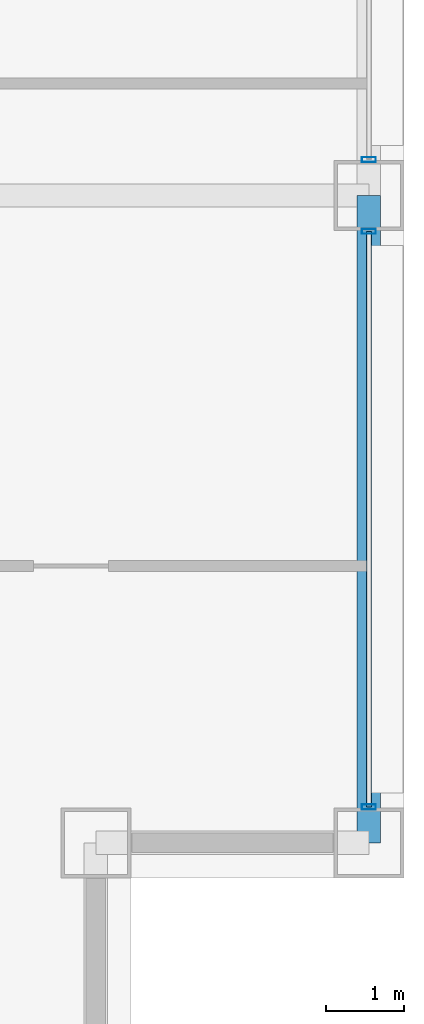
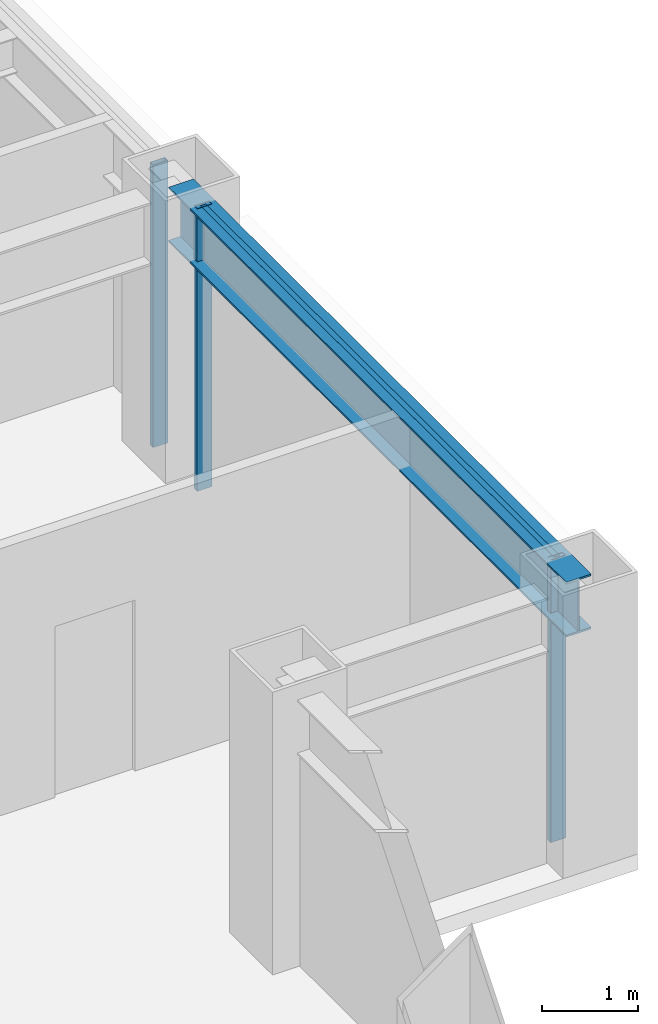
# One storey, part 12 of 29: 4 members, 1 beam, 2 elements without a shape of their own.
"""IFC4 building model written with IfcOpenShell, lengths in metres."""

from ifc_helpers import new_model, si_unit, direction, frame, origin, origin_2d, place, context, subcontext, project, spatial, hollow_rectangle, i_section, extrude, material, layer, layer_set, material_profile, profile_set, type_object, element, aggregate, save


model = new_model("IFC4")

# Units and contexts
model_context = context("Model", 3, precision=1e-05, world=origin(), true_north=direction((0.0, 1.0)))
body_context = subcontext(model_context, "Body", "Model", "MODEL_VIEW")
ifc_project = project(units=[si_unit("LENGTHUNIT", "METRE"), si_unit("AREAUNIT", "SQUARE_METRE"), si_unit("VOLUMEUNIT", "CUBIC_METRE"), si_unit("PLANEANGLEUNIT", "RADIAN"), si_unit("MASSUNIT", "GRAM", prefix="KILO")], contexts=[model_context])

# Site, building, storey
site_placement = place(None, origin())
site = spatial("IfcSite", under=ifc_project, at=site_placement, CompositionType="ELEMENT")
building_placement = place(site_placement, origin())
building = spatial("IfcBuilding", under=site, at=building_placement, Name="Brelmoor Portico Tower", CompositionType="ELEMENT")
storey_placement = place(building_placement, frame((0.0, 0.0, 60.0)))
storey = spatial("IfcBuildingStorey", under=building, at=storey_placement, Name="L15", CompositionType="ELEMENT", Elevation=60.0)

# Beam
ifc_material_1 = material(Name="Steel Q355B", Category="steel")
ifc_material_profile_1 = material_profile(ifc_material_1, i_section(OverallWidth=0.300048828125, OverallDepth=0.699951171875, WebThickness=0.012939453125, FlangeThickness=0.02392578125, at=origin_2d()), Name="HN 700x300x13x24")
ifc_profile_set_1 = profile_set([ifc_material_profile_1], Name="Steel Q355B")
beam_type = type_object("IfcBeamType", Name="BM-SP-700", PredefinedType="SPANDREL", material=ifc_profile_set_1)
beam_placement = place(storey_placement, frame((24.550048828125, -18.050048828125, 3.050048828125), z_axis=(0.0, 1.0, 0.0), x_axis=(-1.0, 0.0, 0.0)))
element("IfcBeam", 1, at=beam_placement, inside=storey, type_object=beam_type, Name="L15 Perimeter Spandrel Beam SP-22", PredefinedType="SPANDREL", context=body_context, shape_type="SweptSolid", body=[
    extrude(i_section(OverallWidth=0.300048828125, OverallDepth=0.699951171875, WebThickness=0.012939453125, FlangeThickness=0.02392578125, at=origin_2d()), origin(), (0.0, 0.0, 1.0), 8.300048828125),
])

# Curtain wall, members
ifc_material_2 = material(Name="Anodised Aluminium Alloy 6063-T6", Category="aluminium")
ifc_layer = layer(ifc_material_2, 0.179931640625)
ifc_layer_set = layer_set([ifc_layer], Name="Anodised Aluminium Alloy 6063-T6")
curtain_wall_type = type_object("IfcCurtainWallType", Name="CW-TOWER-Z1-XB", PredefinedType="NOTDEFINED", material=ifc_layer_set)
curtain_wall_1_placement = place(storey_placement, origin())
curtain_wall_1 = element("IfcCurtainWall", 2, at=curtain_wall_1_placement, inside=storey, type_object=curtain_wall_type, Name="L15 Curtain Wall CW-L15-04-1", PredefinedType="NOTDEFINED")
ifc_material_profile_2 = material_profile(ifc_material_2, hollow_rectangle(XDim=0.06494140625, YDim=0.179931640625, WallThickness=0.00390625, at=origin_2d()), Name="ALU MULLION 65x180")
ifc_profile_set_2 = profile_set([ifc_material_profile_2], Name="Anodised Aluminium Alloy 6063-T6")
member_type_1 = type_object("IfcMemberType", Name="MB-CW-MULL-180", PredefinedType="MULLION", material=ifc_profile_set_2)
member_1_placement = place(storey_placement, frame((24.550048828125, -17.590087890625, -0.199951171875), z_axis=(0.0, 0.0, 1.0), x_axis=(0.0, 1.0, 0.0)))
member_1 = element("IfcMember", 3, at=member_1_placement, type_object=member_type_1, Name="CW-L15-04-1 Mullion 00", PredefinedType="MULLION", context=body_context, shape_type="SweptSolid", body=[
    extrude(hollow_rectangle(XDim=0.06494140625, YDim=0.179931640625, WallThickness=0.00390625, at=origin_2d()), origin(), (0.0, 0.0, 1.0), 3.599853515625),
])
member_2_placement = place(storey_placement, frame((24.550048828125, -10.2099609375, -0.199951171875), z_axis=(0.0, 0.0, 1.0), x_axis=(0.0, 1.0, 0.0)))
member_2 = element("IfcMember", 4, at=member_2_placement, type_object=member_type_1, Name="CW-L15-04-1 Mullion 01", PredefinedType="MULLION", context=body_context, shape_type="SweptSolid", body=[
    extrude(hollow_rectangle(XDim=0.06494140625, YDim=0.179931640625, WallThickness=0.00390625, at=origin_2d()), origin(), (0.0, 0.0, 1.0), 3.599853515625),
])

# Curtain wall, member
curtain_wall_2_placement = place(storey_placement, origin())
curtain_wall_2 = element("IfcCurtainWall", 5, at=curtain_wall_2_placement, inside=storey, type_object=curtain_wall_type, Name="L15 Curtain Wall CW-L15-04-2", PredefinedType="NOTDEFINED")
member_3_placement = place(storey_placement, frame((24.550048828125, -9.2900390625, -0.199951171875), z_axis=(0.0, 0.0, 1.0), x_axis=(0.0, 1.0, 0.0)))
member_3 = element("IfcMember", 6, at=member_3_placement, type_object=member_type_1, Name="CW-L15-04-2 Mullion 00", PredefinedType="MULLION", context=body_context, shape_type="SweptSolid", body=[
    extrude(hollow_rectangle(XDim=0.06494140625, YDim=0.179931640625, WallThickness=0.00390625, at=origin_2d()), origin(), (0.0, 0.0, 1.0), 3.599853515625),
])
aggregate(curtain_wall_2, [member_3])

# Member
ifc_material_profile_3 = material_profile(ifc_material_2, hollow_rectangle(XDim=0.06494140625, YDim=0.139892578125, WallThickness=0.00390625, at=origin_2d()), Name="ALU TRANSOM 65x140")
ifc_profile_set_3 = profile_set([ifc_material_profile_3], Name="Anodised Aluminium Alloy 6063-T6")
member_type_2 = type_object("IfcMemberType", Name="MB-CW-TRAN-140", PredefinedType="USERDEFINED", material=ifc_profile_set_3)
member_4_placement = place(storey_placement, frame((24.550048828125, -17.590087890625, 3.330078125), z_axis=(0.0, 1.0, 0.0), x_axis=(-1.0, 0.0, 0.0)))
member_4 = element("IfcMember", 7, at=member_4_placement, type_object=member_type_2, Name="CW-L15-04-1 Transom 1-00", ObjectType="TRANSOM", PredefinedType="USERDEFINED", context=body_context, shape_type="SweptSolid", body=[
    extrude(hollow_rectangle(XDim=0.06494140625, YDim=0.139892578125, WallThickness=0.00390625, at=origin_2d()), origin(), (0.0, 0.0, 1.0), 7.380126953125),
])

aggregate(curtain_wall_1, [member_1, member_2, member_4])

save(model, "model.ifc")
